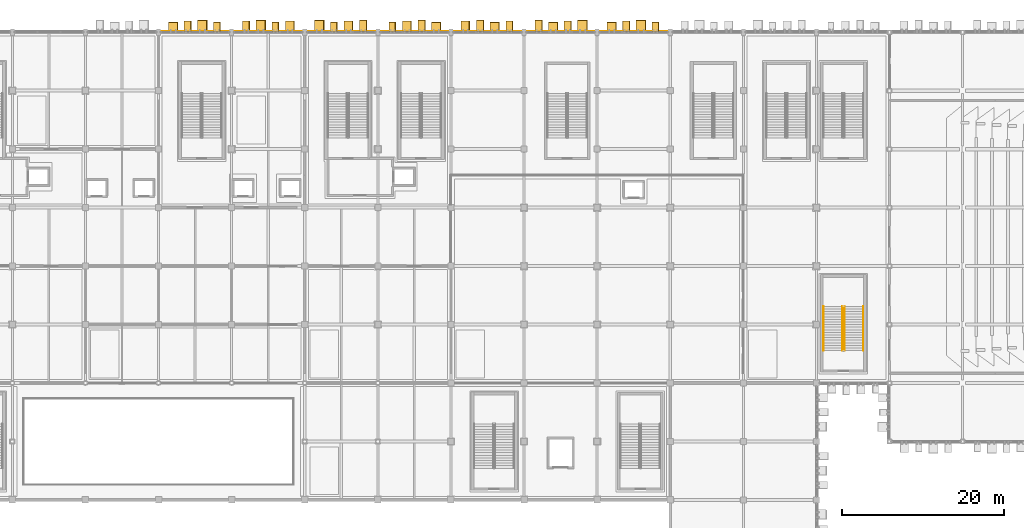
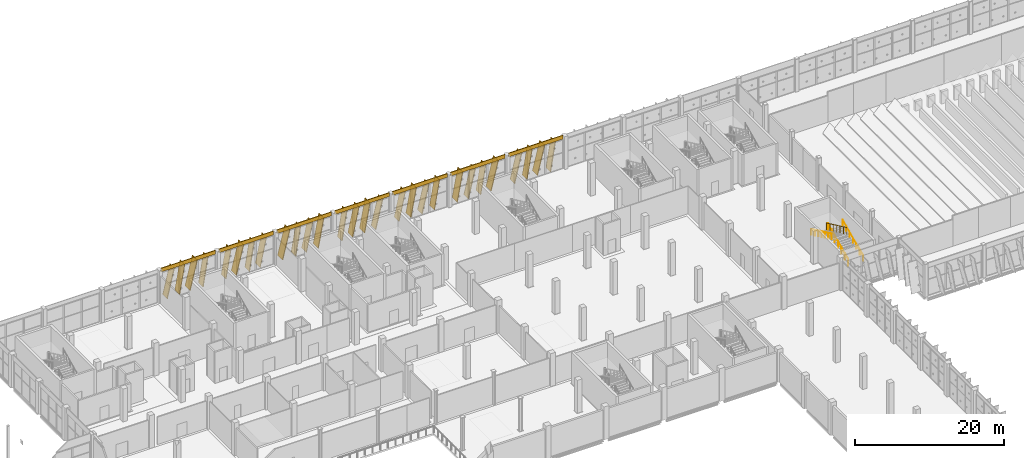
# One storey, part 183 of 189: 35 coverings, 28 shading devices, 4 railings.
"""IFC4 building model written with IfcOpenShell, lengths in metres."""

from ifc_helpers import new_model, si_unit, direction, frame, origin, origin_2d, place, context, subcontext, project, spatial, rectangle, circle, extrude, material, layer, layer_set, material_profile, profile_set, type_object, element, save


model = new_model("IFC4")

# Units and contexts
model_context = context("Model", 3, precision=1e-05, world=origin(), true_north=direction((0.0, 1.0)))
body_context = subcontext(model_context, "Body", "Model", "MODEL_VIEW")
ifc_project = project(units=[si_unit("LENGTHUNIT", "METRE"), si_unit("AREAUNIT", "SQUARE_METRE"), si_unit("VOLUMEUNIT", "CUBIC_METRE"), si_unit("PLANEANGLEUNIT", "RADIAN"), si_unit("MASSUNIT", "GRAM", prefix="KILO")], contexts=[model_context])

# Site, building, storey
site_placement = place(None, origin())
site = spatial("IfcSite", under=ifc_project, at=site_placement, CompositionType="ELEMENT")
building_placement = place(site_placement, origin())
building = spatial("IfcBuilding", under=site, at=building_placement, Name="Celestram Park Convention Centre", CompositionType="ELEMENT")
storey_placement = place(building_placement, frame((0.0, 0.0, 5.39990234375)))
storey = spatial("IfcBuildingStorey", under=building, at=storey_placement, Name="L01", CompositionType="ELEMENT", Elevation=5.39990234375)

# Coverings
ifc_material_1 = material(Name="Anodised Bronze Aluminium Spandrel Cladding", Category="aluminium")
ifc_layer_1 = layer(ifc_material_1, 0.050048828125)
ifc_layer_set_1 = layer_set([ifc_layer_1], Name="Anodised Bronze Aluminium Spandrel Cladding")
covering_type_1 = type_object("IfcCoveringType", Name="ARC-COV-CLD060", PredefinedType="CLADDING", material=ifc_layer_set_1)
for number, where, z_axis, x_axis, name in (
    (1, (67.5, 165.679931640625, 4.7841796875), (0.0, 0.0, 1.0), (1.0, 0.0, 0.0), "Bronze spandrel cladding CL-L01-058"),
    (2, (76.5, 165.679931640625, 4.7841796875), (0.0, 0.0, 1.0), (1.0, 0.0, 0.0), "Bronze spandrel cladding CL-L01-059"),
    (3, (85.5, 165.679931640625, 4.7841796875), (0.0, 0.0, 1.0), (1.0, 0.0, 0.0), "Bronze spandrel cladding CL-L01-060"),
    (4, (94.5, 165.679931640625, 4.7841796875), (0.0, 0.0, 1.0), (1.0, 0.0, 0.0), "Bronze spandrel cladding CL-L01-061"),
    (5, (103.5, 165.679931640625, 4.7841796875), (0.0, 0.0, 1.0), (1.0, 0.0, 0.0), "Bronze spandrel cladding CL-L01-062"),
    (6, (112.5, 165.679931640625, 4.7841796875), (0.0, 0.0, 1.0), (1.0, 0.0, 0.0), "Bronze spandrel cladding CL-L01-063"),
    (7, (121.5, 165.679931640625, 4.7841796875), (0.0, 0.0, 1.0), (1.0, 0.0, 0.0), "Bronze spandrel cladding CL-L01-064"),
):
    element("IfcCovering", number, at=place(storey_placement, frame(where, z_axis=z_axis, x_axis=x_axis)), inside=storey, type_object=covering_type_1, Name=name, PredefinedType="CLADDING", context=body_context, shape_type="SweptSolid", body=[
        extrude(rectangle(XDim=8.50390625, YDim=0.1201171875, at=origin_2d()), origin(), (0.0, 0.0, 1.0), 0.615966796875),
    ])
ifc_material_2 = material(Name="Timber-Toned Anodised Aluminium Alloy 6063-T6", Category="wood")
ifc_material_profile_1 = material_profile(ifc_material_2, rectangle(XDim=1.1201171875, YDim=0.090087890625, at=origin_2d()), Name="REED1120X90")
ifc_profile_set_1 = profile_set([ifc_material_profile_1], Name="Timber-Toned Anodised Aluminium Alloy 6063-T6")
covering_type_2 = type_object("IfcCoveringType", Name="ARC-COV-FIN1120", PredefinedType="CLADDING", material=ifc_profile_set_1)
for number, where, z_axis, x_axis, name in (
    (8, (64.2490234375, 166.239990234375, 0.06982421875), (0.231766325176, 0.0, 0.972771489361), (0.0, 1.0, 0.0), "Leaning timber-toned reed fin RFN-L01-0152"),
    (9, (69.820068359375, 166.239990234375, 0.03564453125), (0.159866942828, 0.0, 0.987138572132), (0.0, 1.0, 0.0), "Leaning timber-toned reed fin RFN-L01-0155"),
    (10, (77.02001953125, 166.239990234375, 0.03564453125), (0.159866942828, 0.0, 0.987138572132), (0.0, 1.0, 0.0), "Leaning timber-toned reed fin RFN-L01-0158"),
    (11, (84.219970703125, 166.239990234375, 0.03564453125), (0.159866942828, 0.0, 0.987138572132), (0.0, 1.0, 0.0), "Leaning timber-toned reed fin RFN-L01-0161"),
    (12, (91.419921875, 166.239990234375, 0.03564453125), (0.159866942828, 0.0, 0.987138572132), (0.0, 1.0, 0.0), "Leaning timber-toned reed fin RFN-L01-0164"),
    (13, (96.649169921875, 166.239990234375, 0.06982421875), (0.231766325176, 0.0, 0.972771489361), (0.0, 1.0, 0.0), "Leaning timber-toned reed fin RFN-L01-0167"),
    (14, (103.84912109375, 166.239990234375, 0.06982421875), (0.231766325176, 0.0, 0.972771489361), (0.0, 1.0, 0.0), "Leaning timber-toned reed fin RFN-L01-0170"),
    (15, (111.049072265625, 166.239990234375, 0.06982421875), (0.231766325176, 0.0, 0.972771489361), (0.0, 1.0, 0.0), "Leaning timber-toned reed fin RFN-L01-0173"),
    (16, (118.2490234375, 166.239990234375, 0.06982421875), (0.231766325176, 0.0, 0.972771489361), (0.0, 1.0, 0.0), "Leaning timber-toned reed fin RFN-L01-0176"),
    (17, (123.820068359375, 166.239990234375, 0.03564453125), (0.159866942828, 0.0, 0.987138572132), (0.0, 1.0, 0.0), "Leaning timber-toned reed fin RFN-L01-0179"),
):
    element("IfcCovering", number, at=place(storey_placement, frame(where, z_axis=z_axis, x_axis=x_axis)), inside=storey, type_object=covering_type_2, Name=name, PredefinedType="CLADDING", context=body_context, shape_type="SweptSolid", body=[
        extrude(rectangle(XDim=1.1201171875, YDim=0.090087890625, at=origin_2d()), origin(), (0.0, 0.0, 1.0), 4.75390625),
    ])
ifc_material_profile_2 = material_profile(ifc_material_2, rectangle(XDim=1.280029296875, YDim=0.090087890625, at=origin_2d()), Name="REED1280X90")
ifc_profile_set_2 = profile_set([ifc_material_profile_2], Name="Timber-Toned Anodised Aluminium Alloy 6063-T6")
covering_type_3 = type_object("IfcCoveringType", Name="ARC-COV-FIN1280", PredefinedType="CLADDING", material=ifc_profile_set_2)
for number, where, z_axis, x_axis, name in (
    (18, (66.1953125, 166.320068359375, 0.039794921875), (0.170242256857, 0.0, 0.985402239687), (0.0, 1.0, 0.0), "Leaning timber-toned reed fin RFN-L01-0153"),
    (19, (73.3955078125, 166.320068359375, 0.039794921875), (0.170192389469, 0.0, 0.985410853688), (0.0, 1.0, 0.0), "Leaning timber-toned reed fin RFN-L01-0156"),
):
    element("IfcCovering", number, at=place(storey_placement, frame(where, z_axis=z_axis, x_axis=x_axis)), inside=storey, type_object=covering_type_3, Name=name, PredefinedType="CLADDING", context=body_context, shape_type="SweptSolid", body=[
        extrude(rectangle(XDim=1.280029296875, YDim=0.090087890625, at=origin_2d()), origin(), (0.0, 0.0, 1.0), 4.75390625),
    ])
for number, where, z_axis, x_axis, name in (
    (20, (78.70166015625, 166.320068359375, 0.057861328125), (0.209627286664, 0.0, 0.977781366506), (0.0, 1.0, 0.0), "Leaning timber-toned reed fin RFN-L01-0159"),
    (21, (85.901611328125, 166.320068359375, 0.057861328125), (0.209627286664, 0.0, 0.977781366506), (0.0, 1.0, 0.0), "Leaning timber-toned reed fin RFN-L01-0162"),
    (22, (93.101806640625, 166.320068359375, 0.057861328125), (0.209627286664, 0.0, 0.977781366506), (0.0, 1.0, 0.0), "Leaning timber-toned reed fin RFN-L01-0165"),
    (23, (100.3017578125, 166.320068359375, 0.057861328125), (0.209627286664, 0.0, 0.977781366506), (0.0, 1.0, 0.0), "Leaning timber-toned reed fin RFN-L01-0168"),
):
    element("IfcCovering", number, at=place(storey_placement, frame(where, z_axis=z_axis, x_axis=x_axis)), inside=storey, type_object=covering_type_3, Name=name, PredefinedType="CLADDING", context=body_context, shape_type="SweptSolid", body=[
        extrude(rectangle(XDim=1.280029296875, YDim=0.090087890625, at=origin_2d()), origin(), (0.0, 0.0, 1.0), 4.754150390625),
    ])
for number, where, z_axis, x_axis, name in (
    (24, (105.79541015625, 166.320068359375, 0.039794921875), (0.170192389469, 0.0, 0.985410853688), (0.0, 1.0, 0.0), "Leaning timber-toned reed fin RFN-L01-0171"),
    (25, (112.995361328125, 166.320068359375, 0.039794921875), (0.170242256857, 0.0, 0.985402239687), (0.0, 1.0, 0.0), "Leaning timber-toned reed fin RFN-L01-0174"),
    (26, (120.1953125, 166.320068359375, 0.039794921875), (0.170242256857, 0.0, 0.985402239687), (0.0, 1.0, 0.0), "Leaning timber-toned reed fin RFN-L01-0177"),
):
    element("IfcCovering", number, at=place(storey_placement, frame(where, z_axis=z_axis, x_axis=x_axis)), inside=storey, type_object=covering_type_3, Name=name, PredefinedType="CLADDING", context=body_context, shape_type="SweptSolid", body=[
        extrude(rectangle(XDim=1.280029296875, YDim=0.090087890625, at=origin_2d()), origin(), (0.0, 0.0, 1.0), 4.75390625),
    ])
ifc_material_profile_3 = material_profile(ifc_material_2, rectangle(XDim=1.419921875, YDim=0.090087890625, at=origin_2d()), Name="REED1420X90")
ifc_profile_set_3 = profile_set([ifc_material_profile_3], Name="Timber-Toned Anodised Aluminium Alloy 6063-T6")
covering_type_4 = type_object("IfcCoveringType", Name="ARC-COV-FIN1420", PredefinedType="CLADDING", material=ifc_profile_set_3)
for number, where, z_axis, x_axis, name in (
    (27, (67.8330078125, 166.389892578125, 0.07373046875), (0.238545978049, 0.0, 0.971131204502), (0.0, 1.0, 0.0), "Leaning timber-toned reed fin RFN-L01-0154"),
    (28, (75.032958984375, 166.389892578125, 0.07373046875), (0.238545978049, 0.0, 0.971131204502), (0.0, 1.0, 0.0), "Leaning timber-toned reed fin RFN-L01-0157"),
    (29, (82.23291015625, 166.389892578125, 0.07373046875), (0.238545978049, 0.0, 0.971131204502), (0.0, 1.0, 0.0), "Leaning timber-toned reed fin RFN-L01-0160"),
    (30, (87.77099609375, 166.389892578125, 0.044189453125), (0.180516672672, 0.0, 0.983571924613), (0.0, 1.0, 0.0), "Leaning timber-toned reed fin RFN-L01-0163"),
    (31, (94.970947265625, 166.389892578125, 0.044189453125), (0.180516672672, 0.0, 0.983571924613), (0.0, 1.0, 0.0), "Leaning timber-toned reed fin RFN-L01-0166"),
    (32, (102.1708984375, 166.389892578125, 0.044189453125), (0.180516672672, 0.0, 0.983571924613), (0.0, 1.0, 0.0), "Leaning timber-toned reed fin RFN-L01-0169"),
    (33, (109.370849609375, 166.389892578125, 0.044189453125), (0.180516672672, 0.0, 0.983571924613), (0.0, 1.0, 0.0), "Leaning timber-toned reed fin RFN-L01-0172"),
    (34, (114.633056640625, 166.389892578125, 0.07373046875), (0.238545978049, 0.0, 0.971131204502), (0.0, 1.0, 0.0), "Leaning timber-toned reed fin RFN-L01-0175"),
    (35, (121.8330078125, 166.389892578125, 0.07373046875), (0.238545978049, 0.0, 0.971131204502), (0.0, 1.0, 0.0), "Leaning timber-toned reed fin RFN-L01-0178"),
):
    element("IfcCovering", number, at=place(storey_placement, frame(where, z_axis=z_axis, x_axis=x_axis)), inside=storey, type_object=covering_type_4, Name=name, PredefinedType="CLADDING", context=body_context, shape_type="SweptSolid", body=[
        extrude(rectangle(XDim=1.419921875, YDim=0.090087890625, at=origin_2d()), origin(), (0.0, 0.0, 1.0), 4.75390625),
    ])

# Shading devices
ifc_material_3 = material(Name="Anodised Bronze Aluminium Alloy 6063-T6", Category="aluminium")
ifc_material_profile_4 = material_profile(ifc_material_3, rectangle(XDim=1.280029296875, YDim=0.080078125, at=origin_2d()), Name="FIN1280X80")
ifc_profile_set_4 = profile_set([ifc_material_profile_4], Name="Anodised Bronze Aluminium Alloy 6063-T6")
shading_device_type = type_object("IfcShadingDeviceType", Name="ARC-FIN-BZ1280", PredefinedType="USERDEFINED", material=ifc_profile_set_4)
for number, where, z_axis, x_axis, name in (
    (36, (64.2490234375, 166.239990234375, 0.06982421875), (0.231766325176, 0.0, 0.972771489361), (0.0, 1.0, 0.0), "Expressive solar fin FN-L01-0152"),
    (37, (66.1953125, 166.320068359375, 0.039794921875), (0.170242256857, 0.0, 0.985402239687), (0.0, 1.0, 0.0), "Expressive solar fin FN-L01-0153"),
    (38, (67.8330078125, 166.389892578125, 0.07373046875), (0.238545978049, 0.0, 0.971131204502), (0.0, 1.0, 0.0), "Expressive solar fin FN-L01-0154"),
    (39, (69.820068359375, 166.239990234375, 0.03564453125), (0.159866942828, 0.0, 0.987138572132), (0.0, 1.0, 0.0), "Expressive solar fin FN-L01-0155"),
    (40, (73.3955078125, 166.320068359375, 0.039794921875), (0.170192389469, 0.0, 0.985410853688), (0.0, 1.0, 0.0), "Expressive solar fin FN-L01-0156"),
    (41, (75.032958984375, 166.389892578125, 0.07373046875), (0.238545978049, 0.0, 0.971131204502), (0.0, 1.0, 0.0), "Expressive solar fin FN-L01-0157"),
    (42, (77.02001953125, 166.239990234375, 0.03564453125), (0.159866942828, 0.0, 0.987138572132), (0.0, 1.0, 0.0), "Expressive solar fin FN-L01-0158"),
):
    element("IfcShadingDevice", number, at=place(storey_placement, frame(where, z_axis=z_axis, x_axis=x_axis)), inside=storey, type_object=shading_device_type, Name=name, ObjectType="SOLAR_FIN", PredefinedType="USERDEFINED", context=body_context, shape_type="SweptSolid", body=[
        extrude(rectangle(XDim=1.280029296875, YDim=0.080078125, at=origin_2d()), origin(), (0.0, 0.0, 1.0), 4.75390625),
    ])
shading_device_1_placement = place(storey_placement, frame((78.70166015625, 166.320068359375, 0.057861328125), z_axis=(0.209627286664, 0.0, 0.977781366506), x_axis=(0.0, 1.0, 0.0)))
element("IfcShadingDevice", 43, at=shading_device_1_placement, inside=storey, type_object=shading_device_type, Name="Expressive solar fin FN-L01-0159", ObjectType="SOLAR_FIN", PredefinedType="USERDEFINED", context=body_context, shape_type="SweptSolid", body=[
    extrude(rectangle(XDim=1.280029296875, YDim=0.080078125, at=origin_2d()), origin(), (0.0, 0.0, 1.0), 4.754150390625),
])
for number, where, z_axis, x_axis, name in (
    (44, (82.23291015625, 166.389892578125, 0.07373046875), (0.238545978049, 0.0, 0.971131204502), (0.0, 1.0, 0.0), "Expressive solar fin FN-L01-0160"),
    (45, (84.219970703125, 166.239990234375, 0.03564453125), (0.159866942828, 0.0, 0.987138572132), (0.0, 1.0, 0.0), "Expressive solar fin FN-L01-0161"),
):
    element("IfcShadingDevice", number, at=place(storey_placement, frame(where, z_axis=z_axis, x_axis=x_axis)), inside=storey, type_object=shading_device_type, Name=name, ObjectType="SOLAR_FIN", PredefinedType="USERDEFINED", context=body_context, shape_type="SweptSolid", body=[
        extrude(rectangle(XDim=1.280029296875, YDim=0.080078125, at=origin_2d()), origin(), (0.0, 0.0, 1.0), 4.75390625),
    ])
shading_device_2_placement = place(storey_placement, frame((85.901611328125, 166.320068359375, 0.057861328125), z_axis=(0.209627286664, 0.0, 0.977781366506), x_axis=(0.0, 1.0, 0.0)))
element("IfcShadingDevice", 46, at=shading_device_2_placement, inside=storey, type_object=shading_device_type, Name="Expressive solar fin FN-L01-0162", ObjectType="SOLAR_FIN", PredefinedType="USERDEFINED", context=body_context, shape_type="SweptSolid", body=[
    extrude(rectangle(XDim=1.280029296875, YDim=0.080078125, at=origin_2d()), origin(), (0.0, 0.0, 1.0), 4.754150390625),
])
for number, where, z_axis, x_axis, name in (
    (47, (87.77099609375, 166.389892578125, 0.044189453125), (0.180516672672, 0.0, 0.983571924613), (0.0, 1.0, 0.0), "Expressive solar fin FN-L01-0163"),
    (48, (91.419921875, 166.239990234375, 0.03564453125), (0.159866942828, 0.0, 0.987138572132), (0.0, 1.0, 0.0), "Expressive solar fin FN-L01-0164"),
):
    element("IfcShadingDevice", number, at=place(storey_placement, frame(where, z_axis=z_axis, x_axis=x_axis)), inside=storey, type_object=shading_device_type, Name=name, ObjectType="SOLAR_FIN", PredefinedType="USERDEFINED", context=body_context, shape_type="SweptSolid", body=[
        extrude(rectangle(XDim=1.280029296875, YDim=0.080078125, at=origin_2d()), origin(), (0.0, 0.0, 1.0), 4.75390625),
    ])
shading_device_3_placement = place(storey_placement, frame((93.101806640625, 166.320068359375, 0.057861328125), z_axis=(0.209627286664, 0.0, 0.977781366506), x_axis=(0.0, 1.0, 0.0)))
element("IfcShadingDevice", 49, at=shading_device_3_placement, inside=storey, type_object=shading_device_type, Name="Expressive solar fin FN-L01-0165", ObjectType="SOLAR_FIN", PredefinedType="USERDEFINED", context=body_context, shape_type="SweptSolid", body=[
    extrude(rectangle(XDim=1.280029296875, YDim=0.080078125, at=origin_2d()), origin(), (0.0, 0.0, 1.0), 4.754150390625),
])
for number, where, z_axis, x_axis, name in (
    (50, (94.970947265625, 166.389892578125, 0.044189453125), (0.180516672672, 0.0, 0.983571924613), (0.0, 1.0, 0.0), "Expressive solar fin FN-L01-0166"),
    (51, (96.649169921875, 166.239990234375, 0.06982421875), (0.231766325176, 0.0, 0.972771489361), (0.0, 1.0, 0.0), "Expressive solar fin FN-L01-0167"),
):
    element("IfcShadingDevice", number, at=place(storey_placement, frame(where, z_axis=z_axis, x_axis=x_axis)), inside=storey, type_object=shading_device_type, Name=name, ObjectType="SOLAR_FIN", PredefinedType="USERDEFINED", context=body_context, shape_type="SweptSolid", body=[
        extrude(rectangle(XDim=1.280029296875, YDim=0.080078125, at=origin_2d()), origin(), (0.0, 0.0, 1.0), 4.75390625),
    ])
shading_device_4_placement = place(storey_placement, frame((100.3017578125, 166.320068359375, 0.057861328125), z_axis=(0.209627286664, 0.0, 0.977781366506), x_axis=(0.0, 1.0, 0.0)))
element("IfcShadingDevice", 52, at=shading_device_4_placement, inside=storey, type_object=shading_device_type, Name="Expressive solar fin FN-L01-0168", ObjectType="SOLAR_FIN", PredefinedType="USERDEFINED", context=body_context, shape_type="SweptSolid", body=[
    extrude(rectangle(XDim=1.280029296875, YDim=0.080078125, at=origin_2d()), origin(), (0.0, 0.0, 1.0), 4.754150390625),
])
for number, where, z_axis, x_axis, name in (
    (53, (102.1708984375, 166.389892578125, 0.044189453125), (0.180516672672, 0.0, 0.983571924613), (0.0, 1.0, 0.0), "Expressive solar fin FN-L01-0169"),
    (54, (103.84912109375, 166.239990234375, 0.06982421875), (0.231766325176, 0.0, 0.972771489361), (0.0, 1.0, 0.0), "Expressive solar fin FN-L01-0170"),
    (55, (105.79541015625, 166.320068359375, 0.039794921875), (0.170192389469, 0.0, 0.985410853688), (0.0, 1.0, 0.0), "Expressive solar fin FN-L01-0171"),
    (56, (109.370849609375, 166.389892578125, 0.044189453125), (0.180516672672, 0.0, 0.983571924613), (0.0, 1.0, 0.0), "Expressive solar fin FN-L01-0172"),
    (57, (111.049072265625, 166.239990234375, 0.06982421875), (0.231766325176, 0.0, 0.972771489361), (0.0, 1.0, 0.0), "Expressive solar fin FN-L01-0173"),
    (58, (112.995361328125, 166.320068359375, 0.039794921875), (0.170242256857, 0.0, 0.985402239687), (0.0, 1.0, 0.0), "Expressive solar fin FN-L01-0174"),
    (59, (114.633056640625, 166.389892578125, 0.07373046875), (0.238545978049, 0.0, 0.971131204502), (0.0, 1.0, 0.0), "Expressive solar fin FN-L01-0175"),
    (60, (118.2490234375, 166.239990234375, 0.06982421875), (0.231766325176, 0.0, 0.972771489361), (0.0, 1.0, 0.0), "Expressive solar fin FN-L01-0176"),
    (61, (120.1953125, 166.320068359375, 0.039794921875), (0.170242256857, 0.0, 0.985402239687), (0.0, 1.0, 0.0), "Expressive solar fin FN-L01-0177"),
    (62, (121.8330078125, 166.389892578125, 0.07373046875), (0.238545978049, 0.0, 0.971131204502), (0.0, 1.0, 0.0), "Expressive solar fin FN-L01-0178"),
    (63, (123.820068359375, 166.239990234375, 0.03564453125), (0.159866942828, 0.0, 0.987138572132), (0.0, 1.0, 0.0), "Expressive solar fin FN-L01-0179"),
):
    element("IfcShadingDevice", number, at=place(storey_placement, frame(where, z_axis=z_axis, x_axis=x_axis)), inside=storey, type_object=shading_device_type, Name=name, ObjectType="SOLAR_FIN", PredefinedType="USERDEFINED", context=body_context, shape_type="SweptSolid", body=[
        extrude(rectangle(XDim=1.280029296875, YDim=0.080078125, at=origin_2d()), origin(), (0.0, 0.0, 1.0), 4.75390625),
    ])

# Railings
ifc_material_4 = material(Name="Stainless Steel AISI 316L & Laminated Glass", Category="steel")
ifc_layer_2 = layer(ifc_material_4, 0.06005859375)
ifc_layer_set_2 = layer_set([ifc_layer_2], Name="Stainless Steel AISI 316L & Laminated Glass")
railing_type_1 = type_object("IfcRailingType", Name="ARC-RL-GRD1120", PredefinedType="GUARDRAIL", material=ifc_layer_set_2)
railing_1_placement = place(storey_placement, frame((147.43603515625, 126.39990234375, 0.150146484375)))
element("IfcRailing", 64, at=railing_1_placement, inside=storey, type_object=railing_type_1, Name="L01 ST-10 stair guard 1", PredefinedType="GUARDRAIL", context=body_context, shape_type="SweptSolid", body=[
    extrude(circle(Radius=0.02392578125, at=origin_2d()), frame((0.0, 0.0, 1.09619140625), z_axis=(0.0, 0.905461375974, 0.424428670827), x_axis=(-1.0, 0.0, 0.0)), (0.0, 0.0, 1.0), 6.00830078125),
    extrude(circle(Radius=0.02099609375, at=origin_2d()), origin(), (0.0, 0.0, 1.0), 1.072021484375),
    extrude(circle(Radius=0.02099609375, at=origin_2d()), frame((0.0, 0.90673828125, 0.425048828125)), (0.0, 0.0, 1.0), 1.072021484375),
    extrude(circle(Radius=0.02099609375, at=origin_2d()), frame((0.0, 1.8134765625, 0.85009765625)), (0.0, 0.0, 1.0), 1.072021484375),
    extrude(circle(Radius=0.02099609375, at=origin_2d()), frame((0.0, 2.72021484375, 1.27490234375)), (0.0, 0.0, 1.0), 1.072021484375),
    extrude(circle(Radius=0.02099609375, at=origin_2d()), frame((0.0, 3.626708984375, 1.699951171875)), (0.0, 0.0, 1.0), 1.072021484375),
    extrude(circle(Radius=0.02099609375, at=origin_2d()), frame((0.0, 4.533447265625, 2.125)), (0.0, 0.0, 1.0), 1.072021484375),
    extrude(circle(Radius=0.02099609375, at=origin_2d()), frame((0.0, 5.440185546875, 2.550048828125)), (0.0, 0.0, 1.0), 1.072021484375),
])
railing_2_placement = place(storey_placement, frame((147.2041015625, 131.840087890625, 2.85009765625)))
element("IfcRailing", 65, at=railing_2_placement, inside=storey, type_object=railing_type_1, Name="L01 ST-10 stair guard 3", PredefinedType="GUARDRAIL", context=body_context, shape_type="SweptSolid", body=[
    extrude(circle(Radius=0.02392578125, at=origin_2d()), frame((0.0, 0.0, 1.09619140625), z_axis=(0.0, -0.905461375974, 0.424428670827), x_axis=(1.0, 0.0, 0.0)), (0.0, 0.0, 1.0), 6.00830078125),
    extrude(circle(Radius=0.02099609375, at=origin_2d()), origin(), (0.0, 0.0, 1.0), 1.072021484375),
    extrude(circle(Radius=0.02099609375, at=origin_2d()), frame((0.0, -0.90673828125, 0.425048828125)), (0.0, 0.0, 1.0), 1.072021484375),
    extrude(circle(Radius=0.02099609375, at=origin_2d()), frame((0.0, -1.8134765625, 0.85009765625)), (0.0, 0.0, 1.0), 1.072021484375),
    extrude(circle(Radius=0.02099609375, at=origin_2d()), frame((0.0, -2.72021484375, 1.27490234375)), (0.0, 0.0, 1.0), 1.072021484375),
    extrude(circle(Radius=0.02099609375, at=origin_2d()), frame((0.0, -3.626708984375, 1.699951171875)), (0.0, 0.0, 1.0), 1.072021484375),
    extrude(circle(Radius=0.02099609375, at=origin_2d()), frame((0.0, -4.533447265625, 2.125)), (0.0, 0.0, 1.0), 1.072021484375),
    extrude(circle(Radius=0.02099609375, at=origin_2d()), frame((0.0, -5.440185546875, 2.550048828125)), (0.0, 0.0, 1.0), 1.072021484375),
])
ifc_material_5 = material(Name="Brushed Stainless Steel AISI 304", Category="steel")
ifc_layer_3 = layer(ifc_material_5, 0.048095703125)
ifc_layer_set_3 = layer_set([ifc_layer_3], Name="Brushed Stainless Steel AISI 304")
railing_type_2 = type_object("IfcRailingType", Name="ARC-RL-HND915", PredefinedType="HANDRAIL", material=ifc_layer_set_3)
railing_3_placement = place(storey_placement, frame((149.763916015625, 126.39990234375, 0.150146484375)))
element("IfcRailing", 66, at=railing_3_placement, inside=storey, type_object=railing_type_2, Name="L01 ST-10 stair handrail 1", PredefinedType="HANDRAIL", context=body_context, shape_type="SweptSolid", body=[
    extrude(circle(Radius=0.02392578125, at=origin_2d()), frame((0.0, 0.0, 0.8759765625), z_axis=(0.0, 0.905461375974, 0.424428670827), x_axis=(-1.0, 0.0, 0.0)), (0.0, 0.0, 1.0), 6.00830078125),
    extrude(circle(Radius=0.02099609375, at=origin_2d()), origin(), (0.0, 0.0, 1.0), 0.851806640625),
    extrude(circle(Radius=0.02099609375, at=origin_2d()), frame((0.0, 0.90673828125, 0.425048828125)), (0.0, 0.0, 1.0), 0.851806640625),
    extrude(circle(Radius=0.02099609375, at=origin_2d()), frame((0.0, 1.8134765625, 0.85009765625)), (0.0, 0.0, 1.0), 0.851806640625),
    extrude(circle(Radius=0.02099609375, at=origin_2d()), frame((0.0, 2.72021484375, 1.27490234375)), (0.0, 0.0, 1.0), 0.851806640625),
    extrude(circle(Radius=0.02099609375, at=origin_2d()), frame((0.0, 3.626708984375, 1.699951171875)), (0.0, 0.0, 1.0), 0.851806640625),
    extrude(circle(Radius=0.02099609375, at=origin_2d()), frame((0.0, 4.533447265625, 2.125)), (0.0, 0.0, 1.0), 0.851806640625),
    extrude(circle(Radius=0.02099609375, at=origin_2d()), frame((0.0, 5.440185546875, 2.550048828125)), (0.0, 0.0, 1.0), 0.851806640625),
])
railing_4_placement = place(storey_placement, frame((144.8759765625, 131.840087890625, 2.85009765625)))
element("IfcRailing", 67, at=railing_4_placement, inside=storey, type_object=railing_type_2, Name="L01 ST-10 stair handrail 2", PredefinedType="HANDRAIL", context=body_context, shape_type="SweptSolid", body=[
    extrude(circle(Radius=0.02392578125, at=origin_2d()), frame((0.0, 0.0, 0.8759765625), z_axis=(0.0, -0.905461375974, 0.424428670827), x_axis=(1.0, 0.0, 0.0)), (0.0, 0.0, 1.0), 6.00830078125),
    extrude(circle(Radius=0.02099609375, at=origin_2d()), origin(), (0.0, 0.0, 1.0), 0.851806640625),
    extrude(circle(Radius=0.02099609375, at=origin_2d()), frame((0.0, -0.90673828125, 0.425048828125)), (0.0, 0.0, 1.0), 0.851806640625),
    extrude(circle(Radius=0.02099609375, at=origin_2d()), frame((0.0, -1.8134765625, 0.85009765625)), (0.0, 0.0, 1.0), 0.851806640625),
    extrude(circle(Radius=0.02099609375, at=origin_2d()), frame((0.0, -2.72021484375, 1.27490234375)), (0.0, 0.0, 1.0), 0.851806640625),
    extrude(circle(Radius=0.02099609375, at=origin_2d()), frame((0.0, -3.626708984375, 1.699951171875)), (0.0, 0.0, 1.0), 0.851806640625),
    extrude(circle(Radius=0.02099609375, at=origin_2d()), frame((0.0, -4.533447265625, 2.125)), (0.0, 0.0, 1.0), 0.851806640625),
    extrude(circle(Radius=0.02099609375, at=origin_2d()), frame((0.0, -5.440185546875, 2.550048828125)), (0.0, 0.0, 1.0), 0.851806640625),
])

save(model, "model.ifc")
